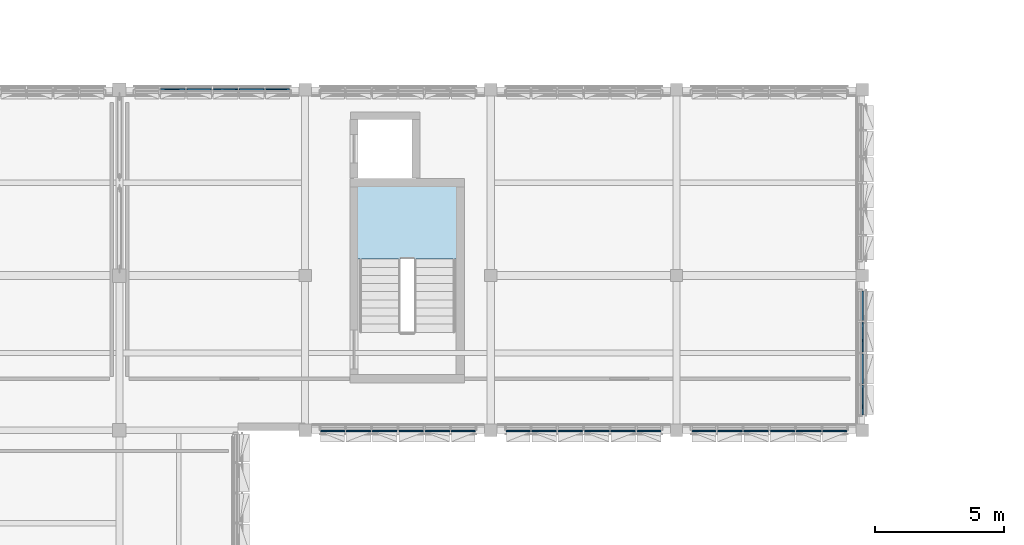
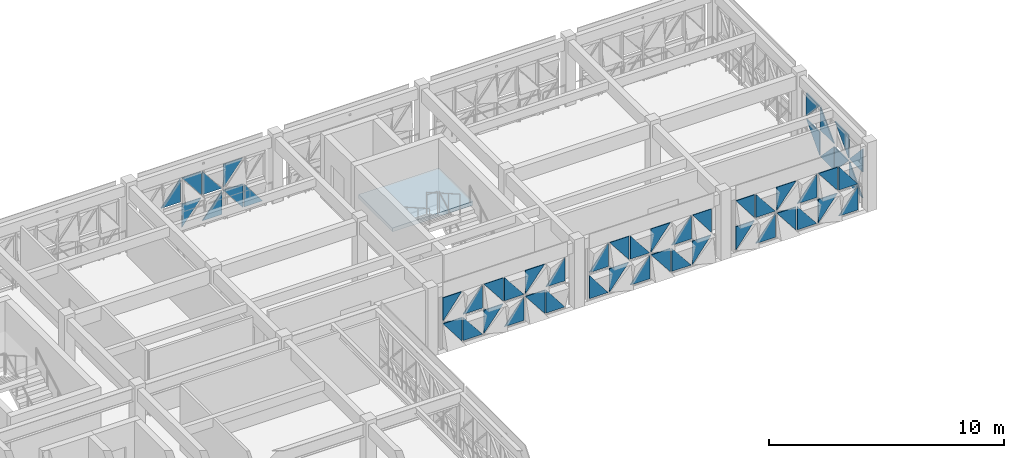
# One storey, part 23 of 48: 52 plates, 1 slab, 6 elements without a shape of their own.
"""IFC4 building model written with IfcOpenShell, lengths in metres."""

from ifc_helpers import new_model, si_unit, direction, frame, origin, place, context, subcontext, project, spatial, polyline, outline, extrude, material, layer, layer_set, type_object, element, aggregate, save


model = new_model("IFC4")

# Units and contexts
model_context = context("Model", 3, precision=1e-05, world=origin(), true_north=direction((0.0, 1.0)))
body_context = subcontext(model_context, "Body", "Model", "MODEL_VIEW")
ifc_project = project(units=[si_unit("LENGTHUNIT", "METRE"), si_unit("AREAUNIT", "SQUARE_METRE"), si_unit("VOLUMEUNIT", "CUBIC_METRE"), si_unit("PLANEANGLEUNIT", "RADIAN"), si_unit("MASSUNIT", "GRAM", prefix="KILO")], contexts=[model_context])

# Site, building, storey
site_placement = place(None, origin())
site = spatial("IfcSite", under=ifc_project, at=site_placement, CompositionType="ELEMENT")
building_placement = place(site_placement, origin())
building = spatial("IfcBuilding", under=site, at=building_placement, Name="Alvorim Cloister Faculty of Sciences", CompositionType="ELEMENT")
storey_placement = place(building_placement, frame((0.0, 0.0, 19.35009765625)))
storey = spatial("IfcBuildingStorey", under=building, at=storey_placement, Name="L05", CompositionType="ELEMENT", Elevation=19.35009765625)

# Curtain wall, plates
ifc_material_1 = material(Name="Aluminium and Low-E Glass Curtain Wall", Category="aluminium")
curtain_wall_type_1 = type_object("IfcCurtainWallType", Name="CW-TRI-6120x2850", PredefinedType="USERDEFINED", material=ifc_material_1)
curtain_wall_1_placement = place(storey_placement, origin())
curtain_wall_1 = element("IfcCurtainWall", 1, at=curtain_wall_1_placement, inside=storey, type_object=curtain_wall_type_1, Name="L05 Diagonal Cassette Curtain Wall CW-0223", ObjectType="UNITISED CURTAIN WALL", PredefinedType="USERDEFINED")
ifc_material_2 = material(Name="Double Low-E Laminated Glass", Category="glass")
ifc_layer_1 = layer(ifc_material_2, 0.0400390625)
ifc_layer_set_1 = layer_set([ifc_layer_1], Name="Double Low-E Laminated Glass")
plate_type = type_object("IfcPlateType", Name="PN-GLZ-40", PredefinedType="CURTAIN_PANEL", material=ifc_layer_set_1)
plate_1_placement = place(storey_placement, frame((30.392578125, 56.425048828125, 1.494873046875), z_axis=(0.0, 0.0, 1.0), x_axis=(1.0, 0.0, 0.0)))
plate_1 = element("IfcPlate", 2, at=plate_1_placement, type_object=plate_type, Name="Diagonal Glazed Triangle TRI-BR", PredefinedType="CURTAIN_PANEL", context=body_context, shape_type="SweptSolid", body=[
    extrude(outline(polyline([(0.001953125, 0.0), (0.955078125, 0.0), (0.955078125, 1.213134765625), (0.001953125, 0.0)])), frame((0.0, 0.02490234375, 0.0), z_axis=(0.0, -1.0, 0.0), x_axis=(1.0, 0.0, 0.0)), (0.0, 0.0, 1.0), 0.050048828125),
])
plate_2_placement = place(storey_placement, frame((31.41259765625, 56.425048828125, 0.139892578125), z_axis=(0.0, 0.0, 1.0), x_axis=(1.0, 0.0, 0.0)))
plate_2 = element("IfcPlate", 3, at=plate_2_placement, type_object=plate_type, Name="Diagonal Glazed Triangle TRI-TL", PredefinedType="CURTAIN_PANEL", context=body_context, shape_type="SweptSolid", body=[
    extrude(outline(polyline([(0.953125, 1.215087890625), (0.0, 1.215087890625), (0.0, 0.001953125), (0.953125, 1.215087890625)])), frame((0.0, 0.02490234375, 0.0), z_axis=(0.0, -1.0, 0.0), x_axis=(1.0, 0.0, 0.0)), (0.0, 0.0, 1.0), 0.050048828125),
])
plate_3_placement = place(storey_placement, frame((31.41259765625, 56.425048828125, 1.494873046875), z_axis=(0.0, 0.0, 1.0), x_axis=(1.0, 0.0, 0.0)))
plate_3 = element("IfcPlate", 4, at=plate_3_placement, type_object=plate_type, Name="Diagonal Glazed Triangle TRI-TR", PredefinedType="CURTAIN_PANEL", context=body_context, shape_type="SweptSolid", body=[
    extrude(outline(polyline([(0.955078125, 0.001953125), (0.955078125, 1.215087890625), (0.001953125, 1.215087890625), (0.955078125, 0.001953125)])), frame((0.0, 0.02490234375, 0.0), z_axis=(0.0, -1.0, 0.0), x_axis=(1.0, 0.0, 0.0)), (0.0, 0.0, 1.0), 0.050048828125),
])
plate_4_placement = place(storey_placement, frame((32.4326171875, 56.425048828125, 0.139892578125), z_axis=(0.0, 0.0, 1.0), x_axis=(1.0, 0.0, 0.0)))
plate_4 = element("IfcPlate", 5, at=plate_4_placement, type_object=plate_type, Name="Diagonal Glazed Triangle TRI-BR", PredefinedType="CURTAIN_PANEL", context=body_context, shape_type="SweptSolid", body=[
    extrude(outline(polyline([(0.001953125, 0.0), (0.955078125, 0.0), (0.955078125, 1.213134765625), (0.001953125, 0.0)])), frame((0.0, 0.02490234375, 0.0), z_axis=(0.0, -1.0, 0.0), x_axis=(1.0, 0.0, 0.0)), (0.0, 0.0, 1.0), 0.050048828125),
])
plate_5_placement = place(storey_placement, frame((32.4326171875, 56.425048828125, 1.494873046875), z_axis=(0.0, 0.0, 1.0), x_axis=(1.0, 0.0, 0.0)))
plate_5 = element("IfcPlate", 6, at=plate_5_placement, type_object=plate_type, Name="Diagonal Glazed Triangle TRI-BL", PredefinedType="CURTAIN_PANEL", context=body_context, shape_type="SweptSolid", body=[
    extrude(outline(polyline([(0.0, 0.0), (0.953125, 0.0), (0.0, 1.213134765625), (0.0, 0.0)])), frame((0.0, 0.02490234375, 0.0), z_axis=(0.0, -1.0, 0.0), x_axis=(1.0, 0.0, 0.0)), (0.0, 0.0, 1.0), 0.050048828125),
])
plate_6_placement = place(storey_placement, frame((33.452392578125, 56.425048828125, 0.139892578125), z_axis=(0.0, 0.0, 1.0), x_axis=(1.0, 0.0, 0.0)))
plate_6 = element("IfcPlate", 7, at=plate_6_placement, type_object=plate_type, Name="Diagonal Glazed Triangle TRI-TR", PredefinedType="CURTAIN_PANEL", context=body_context, shape_type="SweptSolid", body=[
    extrude(outline(polyline([(0.955078125, 0.001953125), (0.955078125, 1.215087890625), (0.001953125, 1.215087890625), (0.955078125, 0.001953125)])), frame((0.0, 0.02490234375, 0.0), z_axis=(0.0, -1.0, 0.0), x_axis=(1.0, 0.0, 0.0)), (0.0, 0.0, 1.0), 0.050048828125),
])
plate_7_placement = place(storey_placement, frame((33.452392578125, 56.425048828125, 1.494873046875), z_axis=(0.0, 0.0, 1.0), x_axis=(1.0, 0.0, 0.0)))
plate_7 = element("IfcPlate", 8, at=plate_7_placement, type_object=plate_type, Name="Diagonal Glazed Triangle TRI-TL", PredefinedType="CURTAIN_PANEL", context=body_context, shape_type="SweptSolid", body=[
    extrude(outline(polyline([(0.953125, 1.215087890625), (0.0, 1.215087890625), (0.0, 0.001953125), (0.953125, 1.215087890625)])), frame((0.0, 0.02490234375, 0.0), z_axis=(0.0, -1.0, 0.0), x_axis=(1.0, 0.0, 0.0)), (0.0, 0.0, 1.0), 0.050048828125),
])
plate_8_placement = place(storey_placement, frame((34.472412109375, 56.425048828125, 0.139892578125), z_axis=(0.0, 0.0, 1.0), x_axis=(1.0, 0.0, 0.0)))
plate_8 = element("IfcPlate", 9, at=plate_8_placement, type_object=plate_type, Name="Diagonal Glazed Triangle TRI-BL", PredefinedType="CURTAIN_PANEL", context=body_context, shape_type="SweptSolid", body=[
    extrude(outline(polyline([(0.0, 0.0), (0.920654296875, 0.0), (0.0, 1.213134765625), (0.0, 0.0)])), frame((0.0, 0.02490234375, 0.0), z_axis=(0.0, -1.0, 0.0), x_axis=(1.0, 0.0, 0.0)), (0.0, 0.0, 1.0), 0.050048828125),
])
aggregate(curtain_wall_1, [plate_1, plate_2, plate_3, plate_4, plate_5, plate_6, plate_7, plate_8])

curtain_wall_type_2 = type_object("IfcCurtainWallType", Name="CW-TRI-4920x2850", PredefinedType="USERDEFINED", material=ifc_material_1)
curtain_wall_2_placement = place(storey_placement, origin())
curtain_wall_2 = element("IfcCurtainWall", 10, at=curtain_wall_2_placement, inside=storey, type_object=curtain_wall_type_2, Name="L05 Diagonal Cassette Curtain Wall CW-0228", ObjectType="UNITISED CURTAIN WALL", PredefinedType="USERDEFINED")
plate_9_placement = place(storey_placement, frame((57.625, 43.804931640625, 0.139892578125), z_axis=(0.0, 0.0, 1.0), x_axis=(0.0, 1.0, 0.0)))
plate_9 = element("IfcPlate", 11, at=plate_9_placement, type_object=plate_type, Name="Diagonal Glazed Triangle TRI-BR", PredefinedType="CURTAIN_PANEL", context=body_context, shape_type="SweptSolid", body=[
    extrude(outline(polyline([(0.001953125, 0.0), (1.132568359375, 0.0), (1.132568359375, 1.213134765625), (0.001953125, 0.0)])), frame((0.0, 0.02490234375, 0.0), z_axis=(0.0, -1.0, 0.0), x_axis=(1.0, 0.0, 0.0)), (0.0, 0.0, 1.0), 0.050048828125),
])
plate_10_placement = place(storey_placement, frame((57.625, 43.804931640625, 1.494873046875), z_axis=(0.0, 0.0, 1.0), x_axis=(0.0, 1.0, 0.0)))
plate_10 = element("IfcPlate", 12, at=plate_10_placement, type_object=plate_type, Name="Diagonal Glazed Triangle TRI-BL", PredefinedType="CURTAIN_PANEL", context=body_context, shape_type="SweptSolid", body=[
    extrude(outline(polyline([(0.0, 0.0), (1.130615234375, 0.0), (0.0, 1.213134765625), (0.0, 0.0)])), frame((0.0, 0.02490234375, 0.0), z_axis=(0.0, -1.0, 0.0), x_axis=(1.0, 0.0, 0.0)), (0.0, 0.0, 1.0), 0.050048828125),
])
plate_11_placement = place(storey_placement, frame((57.625, 45.00244140625, 0.139892578125), z_axis=(0.0, 0.0, 1.0), x_axis=(0.0, 1.0, 0.0)))
plate_11 = element("IfcPlate", 13, at=plate_11_placement, type_object=plate_type, Name="Diagonal Glazed Triangle TRI-TR", PredefinedType="CURTAIN_PANEL", context=body_context, shape_type="SweptSolid", body=[
    extrude(outline(polyline([(1.1650390625, 0.001953125), (1.1650390625, 1.215087890625), (0.001953125, 1.215087890625), (1.1650390625, 0.001953125)])), frame((0.0, 0.02490234375, 0.0), z_axis=(0.0, -1.0, 0.0), x_axis=(1.0, 0.0, 0.0)), (0.0, 0.0, 1.0), 0.050048828125),
])
plate_12_placement = place(storey_placement, frame((57.625, 45.00244140625, 1.494873046875), z_axis=(0.0, 0.0, 1.0), x_axis=(0.0, 1.0, 0.0)))
plate_12 = element("IfcPlate", 14, at=plate_12_placement, type_object=plate_type, Name="Diagonal Glazed Triangle TRI-TL", PredefinedType="CURTAIN_PANEL", context=body_context, shape_type="SweptSolid", body=[
    extrude(outline(polyline([(1.1630859375, 1.215087890625), (0.0, 1.215087890625), (0.0, 0.001953125), (1.1630859375, 1.215087890625)])), frame((0.0, 0.02490234375, 0.0), z_axis=(0.0, -1.0, 0.0), x_axis=(1.0, 0.0, 0.0)), (0.0, 0.0, 1.0), 0.050048828125),
])
plate_13_placement = place(storey_placement, frame((57.625, 46.232421875, 0.139892578125), z_axis=(0.0, 0.0, 1.0), x_axis=(0.0, 1.0, 0.0)))
plate_13 = element("IfcPlate", 15, at=plate_13_placement, type_object=plate_type, Name="Diagonal Glazed Triangle TRI-BL", PredefinedType="CURTAIN_PANEL", context=body_context, shape_type="SweptSolid", body=[
    extrude(outline(polyline([(0.0, 0.0), (1.1630859375, 0.0), (0.0, 1.213134765625), (0.0, 0.0)])), frame((0.0, 0.02490234375, 0.0), z_axis=(0.0, -1.0, 0.0), x_axis=(1.0, 0.0, 0.0)), (0.0, 0.0, 1.0), 0.050048828125),
])
plate_14_placement = place(storey_placement, frame((57.625, 46.232421875, 1.494873046875), z_axis=(0.0, 0.0, 1.0), x_axis=(0.0, 1.0, 0.0)))
plate_14 = element("IfcPlate", 16, at=plate_14_placement, type_object=plate_type, Name="Diagonal Glazed Triangle TRI-BR", PredefinedType="CURTAIN_PANEL", context=body_context, shape_type="SweptSolid", body=[
    extrude(outline(polyline([(0.001953125, 0.0), (1.1650390625, 0.0), (1.1650390625, 1.213134765625), (0.001953125, 0.0)])), frame((0.0, 0.02490234375, 0.0), z_axis=(0.0, -1.0, 0.0), x_axis=(1.0, 0.0, 0.0)), (0.0, 0.0, 1.0), 0.050048828125),
])
plate_15_placement = place(storey_placement, frame((57.625, 47.46240234375, 0.139892578125), z_axis=(0.0, 0.0, 1.0), x_axis=(0.0, 1.0, 0.0)))
plate_15 = element("IfcPlate", 17, at=plate_15_placement, type_object=plate_type, Name="Diagonal Glazed Triangle TRI-TL", PredefinedType="CURTAIN_PANEL", context=body_context, shape_type="SweptSolid", body=[
    extrude(outline(polyline([(1.130615234375, 1.215087890625), (0.0, 1.215087890625), (0.0, 0.001953125), (1.130615234375, 1.215087890625)])), frame((0.0, 0.02490234375, 0.0), z_axis=(0.0, -1.0, 0.0), x_axis=(1.0, 0.0, 0.0)), (0.0, 0.0, 1.0), 0.050048828125),
])
plate_16_placement = place(storey_placement, frame((57.625, 47.46240234375, 1.494873046875), z_axis=(0.0, 0.0, 1.0), x_axis=(0.0, 1.0, 0.0)))
plate_16 = element("IfcPlate", 18, at=plate_16_placement, type_object=plate_type, Name="Diagonal Glazed Triangle TRI-TR", PredefinedType="CURTAIN_PANEL", context=body_context, shape_type="SweptSolid", body=[
    extrude(outline(polyline([(1.132568359375, 0.001953125), (1.132568359375, 1.215087890625), (0.001953125, 1.215087890625), (1.132568359375, 0.001953125)])), frame((0.0, 0.02490234375, 0.0), z_axis=(0.0, -1.0, 0.0), x_axis=(1.0, 0.0, 0.0)), (0.0, 0.0, 1.0), 0.050048828125),
])
aggregate(curtain_wall_2, [plate_9, plate_10, plate_11, plate_12, plate_13, plate_14, plate_15, plate_16])

curtain_wall_3_placement = place(storey_placement, origin())
curtain_wall_3 = element("IfcCurtainWall", 19, at=curtain_wall_3_placement, inside=storey, type_object=curtain_wall_type_1, Name="L05 Diagonal Cassette Curtain Wall CW-0229", ObjectType="UNITISED CURTAIN WALL", PredefinedType="USERDEFINED")
plate_17_placement = place(storey_placement, frame((51.0048828125, 43.175048828125, 0.139892578125), z_axis=(0.0, 0.0, 1.0), x_axis=(1.0, 0.0, 0.0)))
plate_17 = element("IfcPlate", 20, at=plate_17_placement, type_object=plate_type, Name="Diagonal Glazed Triangle TRI-TL", PredefinedType="CURTAIN_PANEL", context=body_context, shape_type="SweptSolid", body=[
    extrude(outline(polyline([(0.920654296875, 1.215087890625), (0.0, 1.215087890625), (0.0, 0.001953125), (0.920654296875, 1.215087890625)])), frame((0.0, 0.02490234375, 0.0), z_axis=(0.0, -1.0, 0.0), x_axis=(1.0, 0.0, 0.0)), (0.0, 0.0, 1.0), 0.050048828125),
])
plate_18_placement = place(storey_placement, frame((51.0048828125, 43.175048828125, 1.494873046875), z_axis=(0.0, 0.0, 1.0), x_axis=(1.0, 0.0, 0.0)))
plate_18 = element("IfcPlate", 21, at=plate_18_placement, type_object=plate_type, Name="Diagonal Glazed Triangle TRI-TR", PredefinedType="CURTAIN_PANEL", context=body_context, shape_type="SweptSolid", body=[
    extrude(outline(polyline([(0.922607421875, 0.001953125), (0.922607421875, 1.215087890625), (0.001953125, 1.215087890625), (0.922607421875, 0.001953125)])), frame((0.0, 0.02490234375, 0.0), z_axis=(0.0, -1.0, 0.0), x_axis=(1.0, 0.0, 0.0)), (0.0, 0.0, 1.0), 0.050048828125),
])
plate_19_placement = place(storey_placement, frame((51.992431640625, 43.175048828125, 0.139892578125), z_axis=(0.0, 0.0, 1.0), x_axis=(1.0, 0.0, 0.0)))
plate_19 = element("IfcPlate", 22, at=plate_19_placement, type_object=plate_type, Name="Diagonal Glazed Triangle TRI-BR", PredefinedType="CURTAIN_PANEL", context=body_context, shape_type="SweptSolid", body=[
    extrude(outline(polyline([(0.001953125, 0.0), (0.955078125, 0.0), (0.955078125, 1.213134765625), (0.001953125, 0.0)])), frame((0.0, 0.02490234375, 0.0), z_axis=(0.0, -1.0, 0.0), x_axis=(1.0, 0.0, 0.0)), (0.0, 0.0, 1.0), 0.050048828125),
])
plate_20_placement = place(storey_placement, frame((51.992431640625, 43.175048828125, 1.494873046875), z_axis=(0.0, 0.0, 1.0), x_axis=(1.0, 0.0, 0.0)))
plate_20 = element("IfcPlate", 23, at=plate_20_placement, type_object=plate_type, Name="Diagonal Glazed Triangle TRI-BL", PredefinedType="CURTAIN_PANEL", context=body_context, shape_type="SweptSolid", body=[
    extrude(outline(polyline([(0.0, 0.0), (0.953125, 0.0), (0.0, 1.213134765625), (0.0, 0.0)])), frame((0.0, 0.02490234375, 0.0), z_axis=(0.0, -1.0, 0.0), x_axis=(1.0, 0.0, 0.0)), (0.0, 0.0, 1.0), 0.050048828125),
])
plate_21_placement = place(storey_placement, frame((53.012451171875, 43.175048828125, 0.139892578125), z_axis=(0.0, 0.0, 1.0), x_axis=(1.0, 0.0, 0.0)))
plate_21 = element("IfcPlate", 24, at=plate_21_placement, type_object=plate_type, Name="Diagonal Glazed Triangle TRI-TR", PredefinedType="CURTAIN_PANEL", context=body_context, shape_type="SweptSolid", body=[
    extrude(outline(polyline([(0.955078125, 0.001953125), (0.955078125, 1.215087890625), (0.001953125, 1.215087890625), (0.955078125, 0.001953125)])), frame((0.0, 0.02490234375, 0.0), z_axis=(0.0, -1.0, 0.0), x_axis=(1.0, 0.0, 0.0)), (0.0, 0.0, 1.0), 0.050048828125),
])
plate_22_placement = place(storey_placement, frame((53.012451171875, 43.175048828125, 1.494873046875), z_axis=(0.0, 0.0, 1.0), x_axis=(1.0, 0.0, 0.0)))
plate_22 = element("IfcPlate", 25, at=plate_22_placement, type_object=plate_type, Name="Diagonal Glazed Triangle TRI-TL", PredefinedType="CURTAIN_PANEL", context=body_context, shape_type="SweptSolid", body=[
    extrude(outline(polyline([(0.953125, 1.215087890625), (0.0, 1.215087890625), (0.0, 0.001953125), (0.953125, 1.215087890625)])), frame((0.0, 0.02490234375, 0.0), z_axis=(0.0, -1.0, 0.0), x_axis=(1.0, 0.0, 0.0)), (0.0, 0.0, 1.0), 0.050048828125),
])
plate_23_placement = place(storey_placement, frame((54.032470703125, 43.175048828125, 0.139892578125), z_axis=(0.0, 0.0, 1.0), x_axis=(1.0, 0.0, 0.0)))
plate_23 = element("IfcPlate", 26, at=plate_23_placement, type_object=plate_type, Name="Diagonal Glazed Triangle TRI-BL", PredefinedType="CURTAIN_PANEL", context=body_context, shape_type="SweptSolid", body=[
    extrude(outline(polyline([(0.0, 0.0), (0.953125, 0.0), (0.0, 1.213134765625), (0.0, 0.0)])), frame((0.0, 0.02490234375, 0.0), z_axis=(0.0, -1.0, 0.0), x_axis=(1.0, 0.0, 0.0)), (0.0, 0.0, 1.0), 0.050048828125),
])
plate_24_placement = place(storey_placement, frame((54.032470703125, 43.175048828125, 1.494873046875), z_axis=(0.0, 0.0, 1.0), x_axis=(1.0, 0.0, 0.0)))
plate_24 = element("IfcPlate", 27, at=plate_24_placement, type_object=plate_type, Name="Diagonal Glazed Triangle TRI-BR", PredefinedType="CURTAIN_PANEL", context=body_context, shape_type="SweptSolid", body=[
    extrude(outline(polyline([(0.001953125, 0.0), (0.955078125, 0.0), (0.955078125, 1.213134765625), (0.001953125, 0.0)])), frame((0.0, 0.02490234375, 0.0), z_axis=(0.0, -1.0, 0.0), x_axis=(1.0, 0.0, 0.0)), (0.0, 0.0, 1.0), 0.050048828125),
])
plate_25_placement = place(storey_placement, frame((55.052490234375, 43.175048828125, 0.139892578125), z_axis=(0.0, 0.0, 1.0), x_axis=(1.0, 0.0, 0.0)))
plate_25 = element("IfcPlate", 28, at=plate_25_placement, type_object=plate_type, Name="Diagonal Glazed Triangle TRI-TL", PredefinedType="CURTAIN_PANEL", context=body_context, shape_type="SweptSolid", body=[
    extrude(outline(polyline([(0.953125, 1.215087890625), (0.0, 1.215087890625), (0.0, 0.001953125), (0.953125, 1.215087890625)])), frame((0.0, 0.02490234375, 0.0), z_axis=(0.0, -1.0, 0.0), x_axis=(1.0, 0.0, 0.0)), (0.0, 0.0, 1.0), 0.050048828125),
])
plate_26_placement = place(storey_placement, frame((55.052490234375, 43.175048828125, 1.494873046875), z_axis=(0.0, 0.0, 1.0), x_axis=(1.0, 0.0, 0.0)))
plate_26 = element("IfcPlate", 29, at=plate_26_placement, type_object=plate_type, Name="Diagonal Glazed Triangle TRI-TR", PredefinedType="CURTAIN_PANEL", context=body_context, shape_type="SweptSolid", body=[
    extrude(outline(polyline([(0.955078125, 0.001953125), (0.955078125, 1.215087890625), (0.001953125, 1.215087890625), (0.955078125, 0.001953125)])), frame((0.0, 0.02490234375, 0.0), z_axis=(0.0, -1.0, 0.0), x_axis=(1.0, 0.0, 0.0)), (0.0, 0.0, 1.0), 0.050048828125),
])
plate_27_placement = place(storey_placement, frame((56.072509765625, 43.175048828125, 0.139892578125), z_axis=(0.0, 0.0, 1.0), x_axis=(1.0, 0.0, 0.0)))
plate_27 = element("IfcPlate", 30, at=plate_27_placement, type_object=plate_type, Name="Diagonal Glazed Triangle TRI-BR", PredefinedType="CURTAIN_PANEL", context=body_context, shape_type="SweptSolid", body=[
    extrude(outline(polyline([(0.001953125, 0.0), (0.922607421875, 0.0), (0.922607421875, 1.213134765625), (0.001953125, 0.0)])), frame((0.0, 0.02490234375, 0.0), z_axis=(0.0, -1.0, 0.0), x_axis=(1.0, 0.0, 0.0)), (0.0, 0.0, 1.0), 0.050048828125),
])
plate_28_placement = place(storey_placement, frame((56.072509765625, 43.175048828125, 1.494873046875), z_axis=(0.0, 0.0, 1.0), x_axis=(1.0, 0.0, 0.0)))
plate_28 = element("IfcPlate", 31, at=plate_28_placement, type_object=plate_type, Name="Diagonal Glazed Triangle TRI-BL", PredefinedType="CURTAIN_PANEL", context=body_context, shape_type="SweptSolid", body=[
    extrude(outline(polyline([(0.0, 0.0), (0.920654296875, 0.0), (0.0, 1.213134765625), (0.0, 0.0)])), frame((0.0, 0.02490234375, 0.0), z_axis=(0.0, -1.0, 0.0), x_axis=(1.0, 0.0, 0.0)), (0.0, 0.0, 1.0), 0.050048828125),
])
aggregate(curtain_wall_3, [plate_17, plate_18, plate_19, plate_20, plate_21, plate_22, plate_23, plate_24, plate_25, plate_26, plate_27, plate_28])

curtain_wall_4_placement = place(storey_placement, origin())
curtain_wall_4 = element("IfcCurtainWall", 32, at=curtain_wall_4_placement, inside=storey, type_object=curtain_wall_type_1, Name="L05 Diagonal Cassette Curtain Wall CW-0230", ObjectType="UNITISED CURTAIN WALL", PredefinedType="USERDEFINED")
plate_29_placement = place(storey_placement, frame((43.804931640625, 43.175048828125, 0.139892578125), z_axis=(0.0, 0.0, 1.0), x_axis=(1.0, 0.0, 0.0)))
plate_29 = element("IfcPlate", 33, at=plate_29_placement, type_object=plate_type, Name="Diagonal Glazed Triangle TRI-BL", PredefinedType="CURTAIN_PANEL", context=body_context, shape_type="SweptSolid", body=[
    extrude(outline(polyline([(0.0, 0.0), (0.920654296875, 0.0), (0.0, 1.213134765625), (0.0, 0.0)])), frame((0.0, 0.02490234375, 0.0), z_axis=(0.0, -1.0, 0.0), x_axis=(1.0, 0.0, 0.0)), (0.0, 0.0, 1.0), 0.050048828125),
])
plate_30_placement = place(storey_placement, frame((43.804931640625, 43.175048828125, 1.494873046875), z_axis=(0.0, 0.0, 1.0), x_axis=(1.0, 0.0, 0.0)))
plate_30 = element("IfcPlate", 34, at=plate_30_placement, type_object=plate_type, Name="Diagonal Glazed Triangle TRI-BR", PredefinedType="CURTAIN_PANEL", context=body_context, shape_type="SweptSolid", body=[
    extrude(outline(polyline([(0.001953125, 0.0), (0.922607421875, 0.0), (0.922607421875, 1.213134765625), (0.001953125, 0.0)])), frame((0.0, 0.02490234375, 0.0), z_axis=(0.0, -1.0, 0.0), x_axis=(1.0, 0.0, 0.0)), (0.0, 0.0, 1.0), 0.050048828125),
])
plate_31_placement = place(storey_placement, frame((44.79248046875, 43.175048828125, 0.139892578125), z_axis=(0.0, 0.0, 1.0), x_axis=(1.0, 0.0, 0.0)))
plate_31 = element("IfcPlate", 35, at=plate_31_placement, type_object=plate_type, Name="Diagonal Glazed Triangle TRI-TL", PredefinedType="CURTAIN_PANEL", context=body_context, shape_type="SweptSolid", body=[
    extrude(outline(polyline([(0.953125, 1.215087890625), (0.0, 1.215087890625), (0.0, 0.001953125), (0.953125, 1.215087890625)])), frame((0.0, 0.02490234375, 0.0), z_axis=(0.0, -1.0, 0.0), x_axis=(1.0, 0.0, 0.0)), (0.0, 0.0, 1.0), 0.050048828125),
])
plate_32_placement = place(storey_placement, frame((44.79248046875, 43.175048828125, 1.494873046875), z_axis=(0.0, 0.0, 1.0), x_axis=(1.0, 0.0, 0.0)))
plate_32 = element("IfcPlate", 36, at=plate_32_placement, type_object=plate_type, Name="Diagonal Glazed Triangle TRI-TR", PredefinedType="CURTAIN_PANEL", context=body_context, shape_type="SweptSolid", body=[
    extrude(outline(polyline([(0.955078125, 0.001953125), (0.955078125, 1.215087890625), (0.001953125, 1.215087890625), (0.955078125, 0.001953125)])), frame((0.0, 0.02490234375, 0.0), z_axis=(0.0, -1.0, 0.0), x_axis=(1.0, 0.0, 0.0)), (0.0, 0.0, 1.0), 0.050048828125),
])
plate_33_placement = place(storey_placement, frame((45.8125, 43.175048828125, 0.139892578125), z_axis=(0.0, 0.0, 1.0), x_axis=(1.0, 0.0, 0.0)))
plate_33 = element("IfcPlate", 37, at=plate_33_placement, type_object=plate_type, Name="Diagonal Glazed Triangle TRI-BR", PredefinedType="CURTAIN_PANEL", context=body_context, shape_type="SweptSolid", body=[
    extrude(outline(polyline([(0.001953125, 0.0), (0.955078125, 0.0), (0.955078125, 1.213134765625), (0.001953125, 0.0)])), frame((0.0, 0.02490234375, 0.0), z_axis=(0.0, -1.0, 0.0), x_axis=(1.0, 0.0, 0.0)), (0.0, 0.0, 1.0), 0.050048828125),
])
plate_34_placement = place(storey_placement, frame((45.8125, 43.175048828125, 1.494873046875), z_axis=(0.0, 0.0, 1.0), x_axis=(1.0, 0.0, 0.0)))
plate_34 = element("IfcPlate", 38, at=plate_34_placement, type_object=plate_type, Name="Diagonal Glazed Triangle TRI-BL", PredefinedType="CURTAIN_PANEL", context=body_context, shape_type="SweptSolid", body=[
    extrude(outline(polyline([(0.0, 0.0), (0.953125, 0.0), (0.0, 1.213134765625), (0.0, 0.0)])), frame((0.0, 0.02490234375, 0.0), z_axis=(0.0, -1.0, 0.0), x_axis=(1.0, 0.0, 0.0)), (0.0, 0.0, 1.0), 0.050048828125),
])
plate_35_placement = place(storey_placement, frame((46.83251953125, 43.175048828125, 0.139892578125), z_axis=(0.0, 0.0, 1.0), x_axis=(1.0, 0.0, 0.0)))
plate_35 = element("IfcPlate", 39, at=plate_35_placement, type_object=plate_type, Name="Diagonal Glazed Triangle TRI-TR", PredefinedType="CURTAIN_PANEL", context=body_context, shape_type="SweptSolid", body=[
    extrude(outline(polyline([(0.955078125, 0.001953125), (0.955078125, 1.215087890625), (0.001953125, 1.215087890625), (0.955078125, 0.001953125)])), frame((0.0, 0.02490234375, 0.0), z_axis=(0.0, -1.0, 0.0), x_axis=(1.0, 0.0, 0.0)), (0.0, 0.0, 1.0), 0.050048828125),
])
plate_36_placement = place(storey_placement, frame((46.83251953125, 43.175048828125, 1.494873046875), z_axis=(0.0, 0.0, 1.0), x_axis=(1.0, 0.0, 0.0)))
plate_36 = element("IfcPlate", 40, at=plate_36_placement, type_object=plate_type, Name="Diagonal Glazed Triangle TRI-TL", PredefinedType="CURTAIN_PANEL", context=body_context, shape_type="SweptSolid", body=[
    extrude(outline(polyline([(0.953125, 1.215087890625), (0.0, 1.215087890625), (0.0, 0.001953125), (0.953125, 1.215087890625)])), frame((0.0, 0.02490234375, 0.0), z_axis=(0.0, -1.0, 0.0), x_axis=(1.0, 0.0, 0.0)), (0.0, 0.0, 1.0), 0.050048828125),
])
plate_37_placement = place(storey_placement, frame((47.8525390625, 43.175048828125, 0.139892578125), z_axis=(0.0, 0.0, 1.0), x_axis=(1.0, 0.0, 0.0)))
plate_37 = element("IfcPlate", 41, at=plate_37_placement, type_object=plate_type, Name="Diagonal Glazed Triangle TRI-BL", PredefinedType="CURTAIN_PANEL", context=body_context, shape_type="SweptSolid", body=[
    extrude(outline(polyline([(0.0, 0.0), (0.953125, 0.0), (0.0, 1.213134765625), (0.0, 0.0)])), frame((0.0, 0.02490234375, 0.0), z_axis=(0.0, -1.0, 0.0), x_axis=(1.0, 0.0, 0.0)), (0.0, 0.0, 1.0), 0.050048828125),
])
plate_38_placement = place(storey_placement, frame((47.8525390625, 43.175048828125, 1.494873046875), z_axis=(0.0, 0.0, 1.0), x_axis=(1.0, 0.0, 0.0)))
plate_38 = element("IfcPlate", 42, at=plate_38_placement, type_object=plate_type, Name="Diagonal Glazed Triangle TRI-BR", PredefinedType="CURTAIN_PANEL", context=body_context, shape_type="SweptSolid", body=[
    extrude(outline(polyline([(0.001953125, 0.0), (0.955078125, 0.0), (0.955078125, 1.213134765625), (0.001953125, 0.0)])), frame((0.0, 0.02490234375, 0.0), z_axis=(0.0, -1.0, 0.0), x_axis=(1.0, 0.0, 0.0)), (0.0, 0.0, 1.0), 0.050048828125),
])
plate_39_placement = place(storey_placement, frame((48.87255859375, 43.175048828125, 0.139892578125), z_axis=(0.0, 0.0, 1.0), x_axis=(1.0, 0.0, 0.0)))
plate_39 = element("IfcPlate", 43, at=plate_39_placement, type_object=plate_type, Name="Diagonal Glazed Triangle TRI-TL", PredefinedType="CURTAIN_PANEL", context=body_context, shape_type="SweptSolid", body=[
    extrude(outline(polyline([(0.920654296875, 1.215087890625), (0.0, 1.215087890625), (0.0, 0.001953125), (0.920654296875, 1.215087890625)])), frame((0.0, 0.02490234375, 0.0), z_axis=(0.0, -1.0, 0.0), x_axis=(1.0, 0.0, 0.0)), (0.0, 0.0, 1.0), 0.050048828125),
])
plate_40_placement = place(storey_placement, frame((48.87255859375, 43.175048828125, 1.494873046875), z_axis=(0.0, 0.0, 1.0), x_axis=(1.0, 0.0, 0.0)))
plate_40 = element("IfcPlate", 44, at=plate_40_placement, type_object=plate_type, Name="Diagonal Glazed Triangle TRI-TR", PredefinedType="CURTAIN_PANEL", context=body_context, shape_type="SweptSolid", body=[
    extrude(outline(polyline([(0.922607421875, 0.001953125), (0.922607421875, 1.215087890625), (0.001953125, 1.215087890625), (0.922607421875, 0.001953125)])), frame((0.0, 0.02490234375, 0.0), z_axis=(0.0, -1.0, 0.0), x_axis=(1.0, 0.0, 0.0)), (0.0, 0.0, 1.0), 0.050048828125),
])
aggregate(curtain_wall_4, [plate_29, plate_30, plate_31, plate_32, plate_33, plate_34, plate_35, plate_36, plate_37, plate_38, plate_39, plate_40])

curtain_wall_5_placement = place(storey_placement, origin())
curtain_wall_5 = element("IfcCurtainWall", 45, at=curtain_wall_5_placement, inside=storey, type_object=curtain_wall_type_1, Name="L05 Diagonal Cassette Curtain Wall CW-0231", ObjectType="UNITISED CURTAIN WALL", PredefinedType="USERDEFINED")
plate_41_placement = place(storey_placement, frame((36.60498046875, 43.175048828125, 0.139892578125), z_axis=(0.0, 0.0, 1.0), x_axis=(1.0, 0.0, 0.0)))
plate_41 = element("IfcPlate", 46, at=plate_41_placement, type_object=plate_type, Name="Diagonal Glazed Triangle TRI-TR", PredefinedType="CURTAIN_PANEL", context=body_context, shape_type="SweptSolid", body=[
    extrude(outline(polyline([(0.922607421875, 0.001953125), (0.922607421875, 1.215087890625), (0.001953125, 1.215087890625), (0.922607421875, 0.001953125)])), frame((0.0, 0.02490234375, 0.0), z_axis=(0.0, -1.0, 0.0), x_axis=(1.0, 0.0, 0.0)), (0.0, 0.0, 1.0), 0.050048828125),
])
plate_42_placement = place(storey_placement, frame((36.60498046875, 43.175048828125, 1.494873046875), z_axis=(0.0, 0.0, 1.0), x_axis=(1.0, 0.0, 0.0)))
plate_42 = element("IfcPlate", 47, at=plate_42_placement, type_object=plate_type, Name="Diagonal Glazed Triangle TRI-TL", PredefinedType="CURTAIN_PANEL", context=body_context, shape_type="SweptSolid", body=[
    extrude(outline(polyline([(0.920654296875, 1.215087890625), (0.0, 1.215087890625), (0.0, 0.001953125), (0.920654296875, 1.215087890625)])), frame((0.0, 0.02490234375, 0.0), z_axis=(0.0, -1.0, 0.0), x_axis=(1.0, 0.0, 0.0)), (0.0, 0.0, 1.0), 0.050048828125),
])
plate_43_placement = place(storey_placement, frame((37.592529296875, 43.175048828125, 0.139892578125), z_axis=(0.0, 0.0, 1.0), x_axis=(1.0, 0.0, 0.0)))
plate_43 = element("IfcPlate", 48, at=plate_43_placement, type_object=plate_type, Name="Diagonal Glazed Triangle TRI-BL", PredefinedType="CURTAIN_PANEL", context=body_context, shape_type="SweptSolid", body=[
    extrude(outline(polyline([(0.0, 0.0), (0.953125, 0.0), (0.0, 1.213134765625), (0.0, 0.0)])), frame((0.0, 0.02490234375, 0.0), z_axis=(0.0, -1.0, 0.0), x_axis=(1.0, 0.0, 0.0)), (0.0, 0.0, 1.0), 0.050048828125),
])
plate_44_placement = place(storey_placement, frame((37.592529296875, 43.175048828125, 1.494873046875), z_axis=(0.0, 0.0, 1.0), x_axis=(1.0, 0.0, 0.0)))
plate_44 = element("IfcPlate", 49, at=plate_44_placement, type_object=plate_type, Name="Diagonal Glazed Triangle TRI-BR", PredefinedType="CURTAIN_PANEL", context=body_context, shape_type="SweptSolid", body=[
    extrude(outline(polyline([(0.001953125, 0.0), (0.955078125, 0.0), (0.955078125, 1.213134765625), (0.001953125, 0.0)])), frame((0.0, 0.02490234375, 0.0), z_axis=(0.0, -1.0, 0.0), x_axis=(1.0, 0.0, 0.0)), (0.0, 0.0, 1.0), 0.050048828125),
])
plate_45_placement = place(storey_placement, frame((38.612548828125, 43.175048828125, 0.139892578125), z_axis=(0.0, 0.0, 1.0), x_axis=(1.0, 0.0, 0.0)))
plate_45 = element("IfcPlate", 50, at=plate_45_placement, type_object=plate_type, Name="Diagonal Glazed Triangle TRI-TL", PredefinedType="CURTAIN_PANEL", context=body_context, shape_type="SweptSolid", body=[
    extrude(outline(polyline([(0.953125, 1.215087890625), (0.0, 1.215087890625), (0.0, 0.001953125), (0.953125, 1.215087890625)])), frame((0.0, 0.02490234375, 0.0), z_axis=(0.0, -1.0, 0.0), x_axis=(1.0, 0.0, 0.0)), (0.0, 0.0, 1.0), 0.050048828125),
])
plate_46_placement = place(storey_placement, frame((38.612548828125, 43.175048828125, 1.494873046875), z_axis=(0.0, 0.0, 1.0), x_axis=(1.0, 0.0, 0.0)))
plate_46 = element("IfcPlate", 51, at=plate_46_placement, type_object=plate_type, Name="Diagonal Glazed Triangle TRI-TR", PredefinedType="CURTAIN_PANEL", context=body_context, shape_type="SweptSolid", body=[
    extrude(outline(polyline([(0.955078125, 0.001953125), (0.955078125, 1.215087890625), (0.001953125, 1.215087890625), (0.955078125, 0.001953125)])), frame((0.0, 0.02490234375, 0.0), z_axis=(0.0, -1.0, 0.0), x_axis=(1.0, 0.0, 0.0)), (0.0, 0.0, 1.0), 0.050048828125),
])
plate_47_placement = place(storey_placement, frame((39.632568359375, 43.175048828125, 0.139892578125), z_axis=(0.0, 0.0, 1.0), x_axis=(1.0, 0.0, 0.0)))
plate_47 = element("IfcPlate", 52, at=plate_47_placement, type_object=plate_type, Name="Diagonal Glazed Triangle TRI-BR", PredefinedType="CURTAIN_PANEL", context=body_context, shape_type="SweptSolid", body=[
    extrude(outline(polyline([(0.001953125, 0.0), (0.955078125, 0.0), (0.955078125, 1.213134765625), (0.001953125, 0.0)])), frame((0.0, 0.02490234375, 0.0), z_axis=(0.0, -1.0, 0.0), x_axis=(1.0, 0.0, 0.0)), (0.0, 0.0, 1.0), 0.050048828125),
])
plate_48_placement = place(storey_placement, frame((39.632568359375, 43.175048828125, 1.494873046875), z_axis=(0.0, 0.0, 1.0), x_axis=(1.0, 0.0, 0.0)))
plate_48 = element("IfcPlate", 53, at=plate_48_placement, type_object=plate_type, Name="Diagonal Glazed Triangle TRI-BL", PredefinedType="CURTAIN_PANEL", context=body_context, shape_type="SweptSolid", body=[
    extrude(outline(polyline([(0.0, 0.0), (0.953125, 0.0), (0.0, 1.213134765625), (0.0, 0.0)])), frame((0.0, 0.02490234375, 0.0), z_axis=(0.0, -1.0, 0.0), x_axis=(1.0, 0.0, 0.0)), (0.0, 0.0, 1.0), 0.050048828125),
])
plate_49_placement = place(storey_placement, frame((40.652587890625, 43.175048828125, 0.139892578125), z_axis=(0.0, 0.0, 1.0), x_axis=(1.0, 0.0, 0.0)))
plate_49 = element("IfcPlate", 54, at=plate_49_placement, type_object=plate_type, Name="Diagonal Glazed Triangle TRI-TR", PredefinedType="CURTAIN_PANEL", context=body_context, shape_type="SweptSolid", body=[
    extrude(outline(polyline([(0.955078125, 0.001953125), (0.955078125, 1.215087890625), (0.001953125, 1.215087890625), (0.955078125, 0.001953125)])), frame((0.0, 0.02490234375, 0.0), z_axis=(0.0, -1.0, 0.0), x_axis=(1.0, 0.0, 0.0)), (0.0, 0.0, 1.0), 0.050048828125),
])
plate_50_placement = place(storey_placement, frame((40.652587890625, 43.175048828125, 1.494873046875), z_axis=(0.0, 0.0, 1.0), x_axis=(1.0, 0.0, 0.0)))
plate_50 = element("IfcPlate", 55, at=plate_50_placement, type_object=plate_type, Name="Diagonal Glazed Triangle TRI-TL", PredefinedType="CURTAIN_PANEL", context=body_context, shape_type="SweptSolid", body=[
    extrude(outline(polyline([(0.953125, 1.215087890625), (0.0, 1.215087890625), (0.0, 0.001953125), (0.953125, 1.215087890625)])), frame((0.0, 0.02490234375, 0.0), z_axis=(0.0, -1.0, 0.0), x_axis=(1.0, 0.0, 0.0)), (0.0, 0.0, 1.0), 0.050048828125),
])
plate_51_placement = place(storey_placement, frame((41.672607421875, 43.175048828125, 0.139892578125), z_axis=(0.0, 0.0, 1.0), x_axis=(1.0, 0.0, 0.0)))
plate_51 = element("IfcPlate", 56, at=plate_51_placement, type_object=plate_type, Name="Diagonal Glazed Triangle TRI-BL", PredefinedType="CURTAIN_PANEL", context=body_context, shape_type="SweptSolid", body=[
    extrude(outline(polyline([(0.0, 0.0), (0.920654296875, 0.0), (0.0, 1.213134765625), (0.0, 0.0)])), frame((0.0, 0.02490234375, 0.0), z_axis=(0.0, -1.0, 0.0), x_axis=(1.0, 0.0, 0.0)), (0.0, 0.0, 1.0), 0.050048828125),
])
plate_52_placement = place(storey_placement, frame((41.672607421875, 43.175048828125, 1.494873046875), z_axis=(0.0, 0.0, 1.0), x_axis=(1.0, 0.0, 0.0)))
plate_52 = element("IfcPlate", 57, at=plate_52_placement, type_object=plate_type, Name="Diagonal Glazed Triangle TRI-BR", PredefinedType="CURTAIN_PANEL", context=body_context, shape_type="SweptSolid", body=[
    extrude(outline(polyline([(0.001953125, 0.0), (0.922607421875, 0.0), (0.922607421875, 1.213134765625), (0.001953125, 0.0)])), frame((0.0, 0.02490234375, 0.0), z_axis=(0.0, -1.0, 0.0), x_axis=(1.0, 0.0, 0.0)), (0.0, 0.0, 1.0), 0.050048828125),
])
aggregate(curtain_wall_5, [plate_41, plate_42, plate_43, plate_44, plate_45, plate_46, plate_47, plate_48, plate_49, plate_50, plate_51, plate_52])

# Stair, slab
ifc_material_3 = material(Name="Concrete C40", Category="concrete")
stair_type = type_object("IfcStairType", Name="STR-ST-04-1600x3600", PredefinedType="HALF_TURN_STAIR", material=ifc_material_3)
stair_placement = place(storey_placement, origin())
stair = element("IfcStair", 58, at=stair_placement, inside=storey, type_object=stair_type, Name="L05 Enclosed Smoke-Proof Stair ST-04", PredefinedType="HALF_TURN_STAIR")
ifc_layer_2 = layer(ifc_material_3, 0.199951171875)
ifc_layer_set_2 = layer_set([ifc_layer_2], Name="Concrete C40")
slab_type = type_object("IfcSlabType", Name="SL-LAND-200", PredefinedType="LANDING", material=ifc_layer_set_2)
slab_placement = place(storey_placement, frame((0.0, 0.0, 1.599853515625)))
slab = element("IfcSlab", 59, at=slab_placement, type_object=slab_type, Name="ST-04 landing 1", PredefinedType="LANDING", context=body_context, shape_type="SweptSolid", body=[
    extrude(outline(polyline([(41.93994140625, 49.8349609375), (41.93994140625, 52.719970703125), (37.97998046875, 52.719970703125), (37.97998046875, 49.8349609375), (41.93994140625, 49.8349609375)])), origin(), (0.0, 0.0, 1.0), 0.199951171875),
])
aggregate(stair, [slab])

save(model, "model.ifc")
